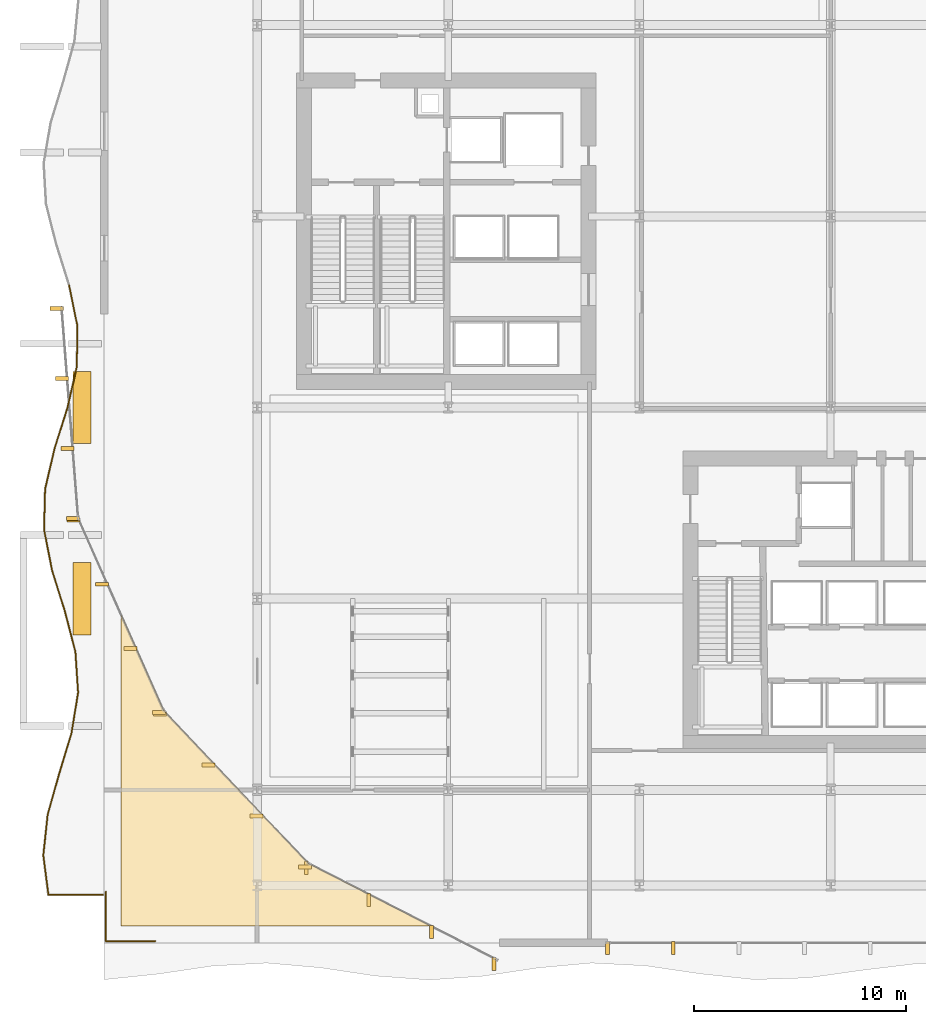
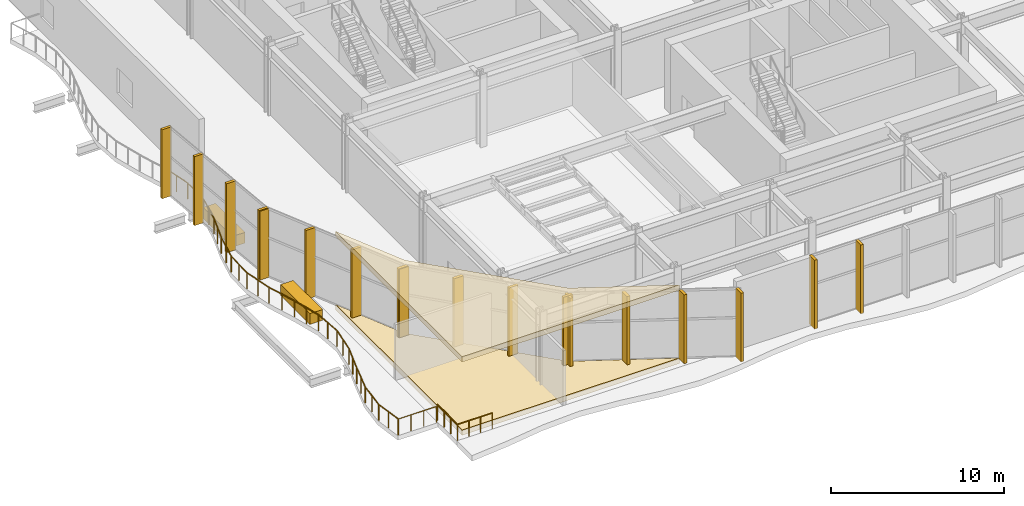
# One storey, part 26 of 33: 22 coverings, 18 railings.
"""IFC4 building model written with IfcOpenShell, lengths in metres."""

from ifc_helpers import new_model, si_unit, direction, frame, origin, origin_2d, place, context, subcontext, project, spatial, polyline, rectangle, circle, outline, extrude, material, layer, layer_set, type_object, element, save


model = new_model("IFC4")

# Units and contexts
model_context = context("Model", 3, precision=1e-05, world=origin(), true_north=direction((0.0, 1.0)))
body_context = subcontext(model_context, "Body", "Model", "MODEL_VIEW")
ifc_project = project(units=[si_unit("LENGTHUNIT", "METRE"), si_unit("AREAUNIT", "SQUARE_METRE"), si_unit("VOLUMEUNIT", "CUBIC_METRE"), si_unit("PLANEANGLEUNIT", "RADIAN"), si_unit("MASSUNIT", "GRAM", prefix="KILO")], contexts=[model_context])

# Site, building, storey
site_placement = place(None, origin())
site = spatial("IfcSite", under=ifc_project, at=site_placement, CompositionType="ELEMENT")
building_placement = place(site_placement, origin())
building = spatial("IfcBuilding", under=site, at=building_placement, Name="Solvaryn Broadcast Tower", CompositionType="ELEMENT")
storey_placement = place(building_placement, frame((0.0, 0.0, 5.800048828125)))
storey = spatial("IfcBuildingStorey", under=building, at=storey_placement, Name="L01", CompositionType="ELEMENT", Elevation=5.800048828125)

# Coverings
ifc_material_1 = material(Name="Glazed Architectural Terracotta Rainscreen Cladding", Category="masonry")
ifc_layer_1 = layer(ifc_material_1, 0.280029296875)
ifc_layer_set_1 = layer_set([ifc_layer_1], Name="CV-TC-CLAD")
covering_type_1 = type_object("IfcCoveringType", Name="CV-TC-CLAD", PredefinedType="CLADDING", material=ifc_layer_set_1)
for number, where, z_axis, x_axis, name in (
    (1, (0.75, 18.0, 0.0), (0.0, 0.0, 1.0), (1.0, 0.0, 0.0), "L01 Sky-Garden Planter Bed 1"),
    (2, (0.75, 27.0, 0.0), (0.0, 0.0, 1.0), (1.0, 0.0, 0.0), "L01 Sky-Garden Planter Bed 2"),
):
    element("IfcCovering", number, at=place(storey_placement, frame(where, z_axis=z_axis, x_axis=x_axis)), inside=storey, type_object=covering_type_1, Name=name, PredefinedType="CLADDING", context=body_context, shape_type="SweptSolid", body=[
        extrude(rectangle(XDim=0.85009765625, YDim=3.39990234375, at=origin_2d()), origin(), (0.0, 0.0, 1.0), 0.760009765625),
    ])
ifc_material_2 = material(Name="Extruded Architectural Terracotta Fin", Category="masonry")
ifc_layer_2 = layer(ifc_material_2, 0.179931640625)
ifc_layer_set_2 = layer_set([ifc_layer_2], Name="CV-TC-FIN")
covering_type_2 = type_object("IfcCoveringType", Name="CV-TC-FIN", PredefinedType="USERDEFINED", material=ifc_layer_set_2)
for number, where, z_axis, x_axis, name in (
    (3, (28.5908203125, 1.550048828125, 0.0), (0.0, 0.0, 1.0), (1.0, 0.0, 0.0), "L01 Terracotta Vertical Fin FIN-POD-L01-S1-10"),
    (4, (25.5, 1.550048828125, 0.0), (0.0, 0.0, 1.0), (1.0, 0.0, 0.0), "L01 Terracotta Vertical Fin FIN-POD-L01-S1-11"),
):
    element("IfcCovering", number, at=place(storey_placement, frame(where, z_axis=z_axis, x_axis=x_axis)), inside=storey, type_object=covering_type_2, Name=name, ObjectType="FIN", PredefinedType="USERDEFINED", context=body_context, shape_type="SweptSolid", body=[
        extrude(rectangle(XDim=0.179931640625, YDim=0.6201171875, at=origin_2d()), origin(), (0.0, 0.0, 1.0), 4.8798828125),
    ])
for number, where, z_axis, x_axis, name in (
    (5, (-0.43603515625, 31.6650390625, 0.0), (0.0, 0.0, 1.0), (1.0, 0.0, 0.0), "L01 Terracotta Vertical Fin FIN-POD-L01-DC1-00"),
    (6, (-0.17724609375, 28.368896484375, 0.0), (0.0, 0.0, 1.0), (1.0, 0.0, 0.0), "L01 Terracotta Vertical Fin FIN-POD-L01-DC1-01"),
    (7, (0.081298828125, 25.072998046875, 0.0), (0.0, 0.0, 1.0), (1.0, 0.0, 0.0), "L01 Terracotta Vertical Fin FIN-POD-L01-DC1-02"),
    (8, (0.340087890625, 21.777099609375, 0.0), (0.0, 0.0, 1.0), (1.0, 0.0, 0.0), "L01 Terracotta Vertical Fin FIN-POD-L01-DC1-03"),
    (9, (0.360107421875, 21.698974609375, 0.0), (0.0, 0.0, 1.0), (1.0, 0.0, 0.0), "L01 Terracotta Vertical Fin FIN-POD-L01-DC2-00"),
    (10, (1.702392578125, 18.677978515625, 0.0), (0.0, 0.0, 1.0), (1.0, 0.0, 0.0), "L01 Terracotta Vertical Fin FIN-POD-L01-DC2-01"),
    (11, (3.044677734375, 15.656982421875, 0.0), (0.0, 0.0, 1.0), (1.0, 0.0, 0.0), "L01 Terracotta Vertical Fin FIN-POD-L01-DC2-02"),
    (12, (4.386962890625, 12.635986328125, 0.0), (0.0, 0.0, 1.0), (1.0, 0.0, 0.0), "L01 Terracotta Vertical Fin FIN-POD-L01-DC2-03"),
    (13, (4.431884765625, 12.568115234375, 0.0), (0.0, 0.0, 1.0), (1.0, 0.0, 0.0), "L01 Terracotta Vertical Fin FIN-POD-L01-DC3-00"),
    (14, (6.705078125, 10.167236328125, 0.0), (0.0, 0.0, 1.0), (1.0, 0.0, 0.0), "L01 Terracotta Vertical Fin FIN-POD-L01-DC3-01"),
    (15, (8.97802734375, 7.7666015625, 0.0), (0.0, 0.0, 1.0), (1.0, 0.0, 0.0), "L01 Terracotta Vertical Fin FIN-POD-L01-DC3-02"),
    (16, (11.2509765625, 5.365966796875, 0.0), (0.0, 0.0, 1.0), (1.0, 0.0, 0.0), "L01 Terracotta Vertical Fin FIN-POD-L01-DC3-03"),
):
    element("IfcCovering", number, at=place(storey_placement, frame(where, z_axis=z_axis, x_axis=x_axis)), inside=storey, type_object=covering_type_2, Name=name, ObjectType="FIN", PredefinedType="USERDEFINED", context=body_context, shape_type="SweptSolid", body=[
        extrude(rectangle(XDim=0.6201171875, YDim=0.179931640625, at=origin_2d()), origin(), (0.0, 0.0, 1.0), 4.8798828125),
    ])
for number, where, z_axis, x_axis, name in (
    (17, (11.31591796875, 5.31689453125, 0.0), (0.0, 0.0, 1.0), (1.0, 0.0, 0.0), "L01 Terracotta Vertical Fin FIN-POD-L01-DC4-00"),
    (18, (14.25927734375, 3.811767578125, 0.0), (0.0, 0.0, 1.0), (1.0, 0.0, 0.0), "L01 Terracotta Vertical Fin FIN-POD-L01-DC4-01"),
    (19, (17.20263671875, 2.306396484375, 0.0), (0.0, 0.0, 1.0), (1.0, 0.0, 0.0), "L01 Terracotta Vertical Fin FIN-POD-L01-DC4-02"),
    (20, (20.14599609375, 0.801025390625, 0.0), (0.0, 0.0, 1.0), (1.0, 0.0, 0.0), "L01 Terracotta Vertical Fin FIN-POD-L01-DC4-03"),
):
    element("IfcCovering", number, at=place(storey_placement, frame(where, z_axis=z_axis, x_axis=x_axis)), inside=storey, type_object=covering_type_2, Name=name, ObjectType="FIN", PredefinedType="USERDEFINED", context=body_context, shape_type="SweptSolid", body=[
        extrude(rectangle(XDim=0.179931640625, YDim=0.6201171875, at=origin_2d()), origin(), (0.0, 0.0, 1.0), 4.8798828125),
    ])
ifc_material_3 = material(Name="Sculpted Architectural Terracotta Wave Fascia", Category="masonry")
ifc_layer_3 = layer(ifc_material_3, 0.340087890625)
ifc_layer_set_3 = layer_set([ifc_layer_3], Name="CV-WAVE-TRAY")
covering_type_3 = type_object("IfcCoveringType", Name="CV-WAVE-TRAY", PredefinedType="CLADDING", material=ifc_layer_set_3)
for number, where, name in (
    (21, (0.0, 0.0, -0.340087890625), "L01 Curved Studio Drum Deck Apron"),
    (22, (0.0, 0.0, 4.83984375), "L01 Curved Studio Drum Ceiling Soffit"),
):
    element("IfcCovering", number, at=place(storey_placement, frame(where)), inside=storey, type_object=covering_type_3, Name=name, PredefinedType="CLADDING", context=body_context, shape_type="SweptSolid", body=[
        extrude(outline(polyline([(2.60009765625, 2.60009765625), (21.10009765625, 2.60009765625), (20.2548828125, 1.014892578125), (11.425048828125, 5.531005859375), (4.60595703125, 12.73291015625), (0.5791015625, 21.7958984375), (-0.197021484375, 31.68408203125), (2.60009765625, 32.10009765625), (2.60009765625, 2.60009765625)])), origin(), (0.0, 0.0, 1.0), 0.380126953125),
    ])

# Railings
ifc_material_4 = material(Name="Stainless Steel and Laminated Glass Guard", Category="steel")
railing_type = type_object("IfcRailingType", Name="RL-TER-1150", PredefinedType="BALUSTRADE", material=ifc_material_4)
railing_1_placement = place(storey_placement, frame((1.8798828125, 4.199951171875, 0.0)))
element("IfcRailing", 23, at=railing_1_placement, inside=storey, type_object=railing_type, Name="L01 Podium SW Corner Balustrade 1", PredefinedType="BALUSTRADE", context=body_context, shape_type="SweptSolid", body=[
    extrude(circle(Radius=0.02392578125, at=origin_2d()), frame((0.0, 0.0, 1.1259765625), z_axis=(0.0, -1.0, 0.0), x_axis=(1.0, 0.0, 0.0)), (0.0, 0.0, 1.0), 2.320068359375),
    extrude(circle(Radius=0.02099609375, at=origin_2d()), origin(), (0.0, 0.0, 1.0), 1.101806640625),
    extrude(circle(Radius=0.02099609375, at=origin_2d()), frame((0.0, -0.7734375, 0.0)), (0.0, 0.0, 1.0), 1.101806640625),
    extrude(circle(Radius=0.02099609375, at=origin_2d()), frame((0.0, -1.546630859375, 0.0)), (0.0, 0.0, 1.0), 1.101806640625),
    extrude(circle(Radius=0.02099609375, at=origin_2d()), frame((0.0, -2.320068359375, 0.0)), (0.0, 0.0, 1.0), 1.101806640625),
])
railing_2_placement = place(storey_placement, frame((1.8798828125, 1.8798828125, 0.0)))
element("IfcRailing", 24, at=railing_2_placement, inside=storey, type_object=railing_type, Name="L01 Podium SW Corner Balustrade 2", PredefinedType="BALUSTRADE", context=body_context, shape_type="SweptSolid", body=[
    extrude(circle(Radius=0.02392578125, at=origin_2d()), frame((0.0, 0.0, 1.1259765625), z_axis=(1.0, 0.0, 0.0), x_axis=(0.0, 1.0, 0.0)), (0.0, 0.0, 1.0), 2.320068359375),
    extrude(circle(Radius=0.02099609375, at=origin_2d()), origin(), (0.0, 0.0, 1.0), 1.101806640625),
    extrude(circle(Radius=0.02099609375, at=origin_2d()), frame((0.7734375, 0.0, 0.0)), (0.0, 0.0, 1.0), 1.101806640625),
    extrude(circle(Radius=0.02099609375, at=origin_2d()), frame((1.546630859375, 0.0, 0.0)), (0.0, 0.0, 1.0), 1.101806640625),
    extrude(circle(Radius=0.02099609375, at=origin_2d()), frame((2.320068359375, 0.0, 0.0)), (0.0, 0.0, 1.0), 1.101806640625),
])
railing_3_placement = place(storey_placement, frame((1.739990234375, 4.06005859375, 0.0)))
element("IfcRailing", 25, at=railing_3_placement, inside=storey, type_object=railing_type, Name="L01 Terrace Guard TS01W-1", PredefinedType="BALUSTRADE", context=body_context, shape_type="SweptSolid", body=[
    extrude(circle(Radius=0.02392578125, at=origin_2d()), frame((0.0, 0.0, 1.1259765625), z_axis=(-1.0, 0.0, 0.0), x_axis=(0.0, -1.0, 0.0)), (0.0, 0.0, 1.0), 2.5634765625),
    extrude(circle(Radius=0.02099609375, at=origin_2d()), origin(), (0.0, 0.0, 1.0), 1.101806640625),
    extrude(circle(Radius=0.02099609375, at=origin_2d()), frame((-0.8544921875, 0.0, 0.0)), (0.0, 0.0, 1.0), 1.101806640625),
    extrude(circle(Radius=0.02099609375, at=origin_2d()), frame((-1.708984375, 0.0, 0.0)), (0.0, 0.0, 1.0), 1.101806640625),
    extrude(circle(Radius=0.02099609375, at=origin_2d()), frame((-2.5634765625, 0.0, 0.0)), (0.0, 0.0, 1.0), 1.101806640625),
])
railing_4_placement = place(storey_placement, frame((-0.823486328125, 4.06005859375, 0.0)))
element("IfcRailing", 26, at=railing_4_placement, inside=storey, type_object=railing_type, Name="L01 Terrace Guard TS01W-2", PredefinedType="BALUSTRADE", context=body_context, shape_type="SweptSolid", body=[
    extrude(circle(Radius=0.02392578125, at=origin_2d()), frame((0.0, 0.0, 1.1259765625), z_axis=(-0.128831880585, 0.991666449238, 0.0), x_axis=(-0.991666449238, -0.128831880585, 0.0)), (0.0, 0.0, 1.0), 1.872314453125),
    extrude(circle(Radius=0.02099609375, at=origin_2d()), origin(), (0.0, 0.0, 1.0), 1.101806640625),
    extrude(circle(Radius=0.02099609375, at=origin_2d()), frame((-0.12060546875, 0.92822265625, 0.0)), (0.0, 0.0, 1.0), 1.101806640625),
    extrude(circle(Radius=0.02099609375, at=origin_2d()), frame((-0.2412109375, 1.856689453125, 0.0)), (0.0, 0.0, 1.0), 1.101806640625),
])
railing_5_placement = place(storey_placement, frame((-1.064697265625, 5.916748046875, 0.0)))
element("IfcRailing", 27, at=railing_5_placement, inside=storey, type_object=railing_type, Name="L01 Terrace Guard TS01W-3", PredefinedType="BALUSTRADE", context=body_context, shape_type="SweptSolid", body=[
    extrude(circle(Radius=0.02392578125, at=origin_2d()), frame((0.0, 0.0, 1.1259765625), z_axis=(0.106023232794, 0.994363652849, 0.0), x_axis=(-0.994363652849, 0.106023232794, 0.0)), (0.0, 0.0, 1.0), 1.92724609375),
    extrude(circle(Radius=0.02099609375, at=origin_2d()), origin(), (0.0, 0.0, 1.0), 1.101806640625),
    extrude(circle(Radius=0.02099609375, at=origin_2d()), frame((0.10205078125, 0.958251953125, 0.0)), (0.0, 0.0, 1.0), 1.101806640625),
    extrude(circle(Radius=0.02099609375, at=origin_2d()), frame((0.204345703125, 1.91650390625, 0.0)), (0.0, 0.0, 1.0), 1.101806640625),
])
railing_6_placement = place(storey_placement, frame((-0.8603515625, 7.833251953125, 0.0)))
element("IfcRailing", 28, at=railing_6_placement, inside=storey, type_object=railing_type, Name="L01 Terrace Guard TS01W-4", PredefinedType="BALUSTRADE", context=body_context, shape_type="SweptSolid", body=[
    extrude(circle(Radius=0.02392578125, at=origin_2d()), frame((0.0, 0.0, 1.1259765625), z_axis=(0.270962157823, 0.962590000482, 0.0), x_axis=(-0.962590000482, 0.270962157823, 0.0)), (0.0, 0.0, 1.0), 1.9912109375),
    extrude(circle(Radius=0.02099609375, at=origin_2d()), origin(), (0.0, 0.0, 1.0), 1.101806640625),
    extrude(circle(Radius=0.02099609375, at=origin_2d()), frame((0.269775390625, 0.95849609375, 0.0)), (0.0, 0.0, 1.0), 1.101806640625),
    extrude(circle(Radius=0.02099609375, at=origin_2d()), frame((0.53955078125, 1.916748046875, 0.0)), (0.0, 0.0, 1.0), 1.101806640625),
])
railing_7_placement = place(storey_placement, frame((-0.32080078125, 9.75, 0.0)))
element("IfcRailing", 29, at=railing_7_placement, inside=storey, type_object=railing_type, Name="L01 Terrace Guard TS01W-5", PredefinedType="BALUSTRADE", context=body_context, shape_type="SweptSolid", body=[
    extrude(circle(Radius=0.02392578125, at=origin_2d()), frame((0.0, 0.0, 1.1259765625), z_axis=(0.291001591447, 0.956722568865, 0.0), x_axis=(-0.956722568865, 0.291001591447, 0.0)), (0.0, 0.0, 1.0), 2.00341796875),
    extrude(circle(Radius=0.02099609375, at=origin_2d()), origin(), (0.0, 0.0, 1.0), 1.101806640625),
    extrude(circle(Radius=0.02099609375, at=origin_2d()), frame((0.29150390625, 0.95849609375, 0.0)), (0.0, 0.0, 1.0), 1.101806640625),
    extrude(circle(Radius=0.02099609375, at=origin_2d()), frame((0.5830078125, 1.916748046875, 0.0)), (0.0, 0.0, 1.0), 1.101806640625),
])
railing_8_placement = place(storey_placement, frame((0.26220703125, 11.666748046875, 0.0)))
element("IfcRailing", 30, at=railing_8_placement, inside=storey, type_object=railing_type, Name="L01 Terrace Guard TS01W-6", PredefinedType="BALUSTRADE", context=body_context, shape_type="SweptSolid", body=[
    extrude(circle(Radius=0.02392578125, at=origin_2d()), frame((0.0, 0.0, 1.1259765625), z_axis=(0.16056450581, 0.987025348952, 0.0), x_axis=(-0.987025348952, 0.16056450581, 0.0)), (0.0, 0.0, 1.0), 1.941650390625),
    extrude(circle(Radius=0.02099609375, at=origin_2d()), origin(), (0.0, 0.0, 1.0), 1.101806640625),
    extrude(circle(Radius=0.02099609375, at=origin_2d()), frame((0.15576171875, 0.958251953125, 0.0)), (0.0, 0.0, 1.0), 1.101806640625),
    extrude(circle(Radius=0.02099609375, at=origin_2d()), frame((0.311767578125, 1.91650390625, 0.0)), (0.0, 0.0, 1.0), 1.101806640625),
])
railing_9_placement = place(storey_placement, frame((0.573974609375, 13.583251953125, 0.0)))
element("IfcRailing", 31, at=railing_9_placement, inside=storey, type_object=railing_type, Name="L01 Terrace Guard TS01W-7", PredefinedType="BALUSTRADE", context=body_context, shape_type="SweptSolid", body=[
    extrude(circle(Radius=0.02392578125, at=origin_2d()), frame((0.0, 0.0, 1.1259765625), z_axis=(-0.066594926658, 0.99778009388, 0.0), x_axis=(-0.99778009388, -0.066594926658, 0.0)), (0.0, 0.0, 1.0), 1.9208984375),
    extrude(circle(Radius=0.02099609375, at=origin_2d()), origin(), (0.0, 0.0, 1.0), 1.101806640625),
    extrude(circle(Radius=0.02099609375, at=origin_2d()), frame((-0.06396484375, 0.95849609375, 0.0)), (0.0, 0.0, 1.0), 1.101806640625),
    extrude(circle(Radius=0.02099609375, at=origin_2d()), frame((-0.1279296875, 1.916748046875, 0.0)), (0.0, 0.0, 1.0), 1.101806640625),
])
railing_10_placement = place(storey_placement, frame((0.446044921875, 15.5, 0.0)))
element("IfcRailing", 32, at=railing_10_placement, inside=storey, type_object=railing_type, Name="L01 Terrace Guard TS01W-8", PredefinedType="BALUSTRADE", context=body_context, shape_type="SweptSolid", body=[
    extrude(circle(Radius=0.02392578125, at=origin_2d()), frame((0.0, 0.0, 1.1259765625), z_axis=(-0.251834750061, 0.96777025097, 0.0), x_axis=(-0.96777025097, -0.251834750061, 0.0)), (0.0, 0.0, 1.0), 1.98046875),
    extrude(circle(Radius=0.02099609375, at=origin_2d()), origin(), (0.0, 0.0, 1.0), 1.101806640625),
    extrude(circle(Radius=0.02099609375, at=origin_2d()), frame((-0.24951171875, 0.95849609375, 0.0)), (0.0, 0.0, 1.0), 1.101806640625),
    extrude(circle(Radius=0.02099609375, at=origin_2d()), frame((-0.498779296875, 1.916748046875, 0.0)), (0.0, 0.0, 1.0), 1.101806640625),
])
railing_11_placement = place(storey_placement, frame((-0.052734375, 17.416748046875, 0.0)))
element("IfcRailing", 33, at=railing_11_placement, inside=storey, type_object=railing_type, Name="L01 Terrace Guard TS01W-9", PredefinedType="BALUSTRADE", context=body_context, shape_type="SweptSolid", body=[
    extrude(circle(Radius=0.02392578125, at=origin_2d()), frame((0.0, 0.0, 1.1259765625), z_axis=(-0.298704144929, 0.954345762186, 0.0), x_axis=(-0.954345762186, -0.298704144929, 0.0)), (0.0, 0.0, 1.0), 2.00830078125),
    extrude(circle(Radius=0.02099609375, at=origin_2d()), origin(), (0.0, 0.0, 1.0), 1.101806640625),
    extrude(circle(Radius=0.02099609375, at=origin_2d()), frame((-0.2998046875, 0.958251953125, 0.0)), (0.0, 0.0, 1.0), 1.101806640625),
    extrude(circle(Radius=0.02099609375, at=origin_2d()), frame((-0.599853515625, 1.91650390625, 0.0)), (0.0, 0.0, 1.0), 1.101806640625),
])
railing_12_placement = place(storey_placement, frame((-0.652587890625, 19.333251953125, 0.0)))
element("IfcRailing", 34, at=railing_12_placement, inside=storey, type_object=railing_type, Name="L01 Terrace Guard TS01W-10", PredefinedType="BALUSTRADE", context=body_context, shape_type="SweptSolid", body=[
    extrude(circle(Radius=0.02392578125, at=origin_2d()), frame((0.0, 0.0, 1.1259765625), z_axis=(-0.192966630211, 0.981205319811, 0.0), x_axis=(-0.981205319811, -0.192966630211, 0.0)), (0.0, 0.0, 1.0), 1.953369140625),
    extrude(circle(Radius=0.02099609375, at=origin_2d()), origin(), (0.0, 0.0, 1.0), 1.101806640625),
    extrude(circle(Radius=0.02099609375, at=origin_2d()), frame((-0.1884765625, 0.95849609375, 0.0)), (0.0, 0.0, 1.0), 1.101806640625),
    extrude(circle(Radius=0.02099609375, at=origin_2d()), frame((-0.376953125, 1.916748046875, 0.0)), (0.0, 0.0, 1.0), 1.101806640625),
])
railing_13_placement = place(storey_placement, frame((-1.029541015625, 21.25, 0.0)))
element("IfcRailing", 35, at=railing_13_placement, inside=storey, type_object=railing_type, Name="L01 Terrace Guard TS01W-11", PredefinedType="BALUSTRADE", context=body_context, shape_type="SweptSolid", body=[
    extrude(circle(Radius=0.02392578125, at=origin_2d()), frame((0.0, 0.0, 1.1259765625), z_axis=(0.02584793974, 0.99966588619, 0.0), x_axis=(-0.99966588619, 0.02584793974, 0.0)), (0.0, 0.0, 1.0), 1.91748046875),
    extrude(circle(Radius=0.02099609375, at=origin_2d()), origin(), (0.0, 0.0, 1.0), 1.101806640625),
    extrude(circle(Radius=0.02099609375, at=origin_2d()), frame((0.02490234375, 0.95849609375, 0.0)), (0.0, 0.0, 1.0), 1.101806640625),
    extrude(circle(Radius=0.02099609375, at=origin_2d()), frame((0.049560546875, 1.916748046875, 0.0)), (0.0, 0.0, 1.0), 1.101806640625),
])
railing_14_placement = place(storey_placement, frame((-0.97998046875, 23.166748046875, 0.0)))
element("IfcRailing", 36, at=railing_14_placement, inside=storey, type_object=railing_type, Name="L01 Terrace Guard TS01W-12", PredefinedType="BALUSTRADE", context=body_context, shape_type="SweptSolid", body=[
    extrude(circle(Radius=0.02392578125, at=origin_2d()), frame((0.0, 0.0, 1.1259765625), z_axis=(0.228327255598, 0.973584441305, 0.0), x_axis=(-0.973584441305, 0.228327255598, 0.0)), (0.0, 0.0, 1.0), 1.968505859375),
    extrude(circle(Radius=0.02099609375, at=origin_2d()), origin(), (0.0, 0.0, 1.0), 1.101806640625),
    extrude(circle(Radius=0.02099609375, at=origin_2d()), frame((0.224609375, 0.958251953125, 0.0)), (0.0, 0.0, 1.0), 1.101806640625),
    extrude(circle(Radius=0.02099609375, at=origin_2d()), frame((0.449462890625, 1.91650390625, 0.0)), (0.0, 0.0, 1.0), 1.101806640625),
])
railing_15_placement = place(storey_placement, frame((-0.530517578125, 25.083251953125, 0.0)))
element("IfcRailing", 37, at=railing_15_placement, inside=storey, type_object=railing_type, Name="L01 Terrace Guard TS01W-13", PredefinedType="BALUSTRADE", context=body_context, shape_type="SweptSolid", body=[
    extrude(circle(Radius=0.02392578125, at=origin_2d()), frame((0.0, 0.0, 1.1259765625), z_axis=(0.301544002633, 0.953452261246, 0.0), x_axis=(-0.953452261246, 0.301544002633, 0.0)), (0.0, 0.0, 1.0), 2.01025390625),
    extrude(circle(Radius=0.02099609375, at=origin_2d()), origin(), (0.0, 0.0, 1.0), 1.101806640625),
    extrude(circle(Radius=0.02099609375, at=origin_2d()), frame((0.30322265625, 0.95849609375, 0.0)), (0.0, 0.0, 1.0), 1.101806640625),
    extrude(circle(Radius=0.02099609375, at=origin_2d()), frame((0.606201171875, 1.916748046875, 0.0)), (0.0, 0.0, 1.0), 1.101806640625),
])
railing_16_placement = place(storey_placement, frame((0.07568359375, 27.0, 0.0)))
element("IfcRailing", 38, at=railing_16_placement, inside=storey, type_object=railing_type, Name="L01 Terrace Guard TS01W-14", PredefinedType="BALUSTRADE", context=body_context, shape_type="SweptSolid", body=[
    extrude(circle(Radius=0.02392578125, at=origin_2d()), frame((0.0, 0.0, 1.1259765625), z_axis=(0.221701627107, 0.975114551495, 0.0), x_axis=(-0.975114551495, 0.221701627107, 0.0)), (0.0, 0.0, 1.0), 1.965576171875),
    extrude(circle(Radius=0.02099609375, at=origin_2d()), origin(), (0.0, 0.0, 1.0), 1.101806640625),
    extrude(circle(Radius=0.02099609375, at=origin_2d()), frame((0.2177734375, 0.95849609375, 0.0)), (0.0, 0.0, 1.0), 1.101806640625),
    extrude(circle(Radius=0.02099609375, at=origin_2d()), frame((0.435791015625, 1.916748046875, 0.0)), (0.0, 0.0, 1.0), 1.101806640625),
])
railing_17_placement = place(storey_placement, frame((0.511474609375, 28.916748046875, 0.0)))
element("IfcRailing", 39, at=railing_17_placement, inside=storey, type_object=railing_type, Name="L01 Terrace Guard TS01W-15", PredefinedType="BALUSTRADE", context=body_context, shape_type="SweptSolid", body=[
    extrude(circle(Radius=0.02392578125, at=origin_2d()), frame((0.0, 0.0, 1.1259765625), z_axis=(0.015539524716, 0.999879254296, 0.0), x_axis=(-0.999879254296, 0.015539524716, 0.0)), (0.0, 0.0, 1.0), 1.916748046875),
    extrude(circle(Radius=0.02099609375, at=origin_2d()), origin(), (0.0, 0.0, 1.0), 1.101806640625),
    extrude(circle(Radius=0.02099609375, at=origin_2d()), frame((0.014892578125, 0.958251953125, 0.0)), (0.0, 0.0, 1.0), 1.101806640625),
    extrude(circle(Radius=0.02099609375, at=origin_2d()), frame((0.02978515625, 1.91650390625, 0.0)), (0.0, 0.0, 1.0), 1.101806640625),
])
railing_18_placement = place(storey_placement, frame((0.541259765625, 30.833251953125, 0.0)))
element("IfcRailing", 40, at=railing_18_placement, inside=storey, type_object=railing_type, Name="L01 Terrace Guard TS01W-16", PredefinedType="BALUSTRADE", context=body_context, shape_type="SweptSolid", body=[
    extrude(circle(Radius=0.02392578125, at=origin_2d()), frame((0.0, 0.0, 1.1259765625), z_axis=(-0.200529618836, 0.97968764, 0.0), x_axis=(-0.97968764, -0.200529618836, 0.0)), (0.0, 0.0, 1.0), 1.95654296875),
    extrude(circle(Radius=0.02099609375, at=origin_2d()), origin(), (0.0, 0.0, 1.0), 1.101806640625),
    extrude(circle(Radius=0.02099609375, at=origin_2d()), frame((-0.1962890625, 0.95849609375, 0.0)), (0.0, 0.0, 1.0), 1.101806640625),
    extrude(circle(Radius=0.02099609375, at=origin_2d()), frame((-0.392333984375, 1.916748046875, 0.0)), (0.0, 0.0, 1.0), 1.101806640625),
])

save(model, "model.ifc")
